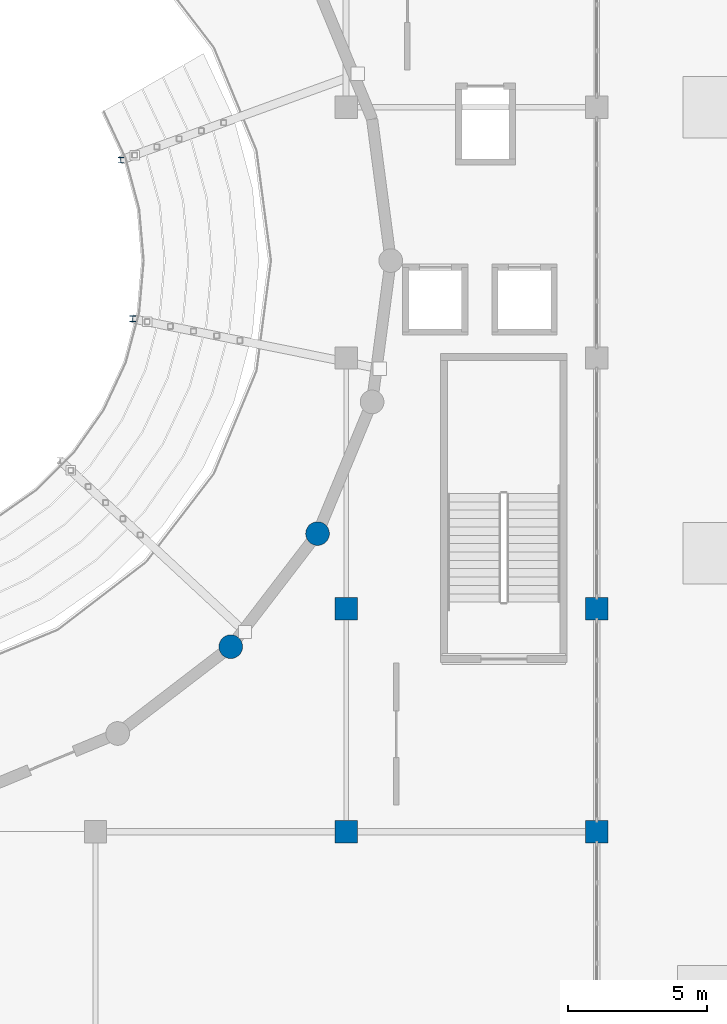
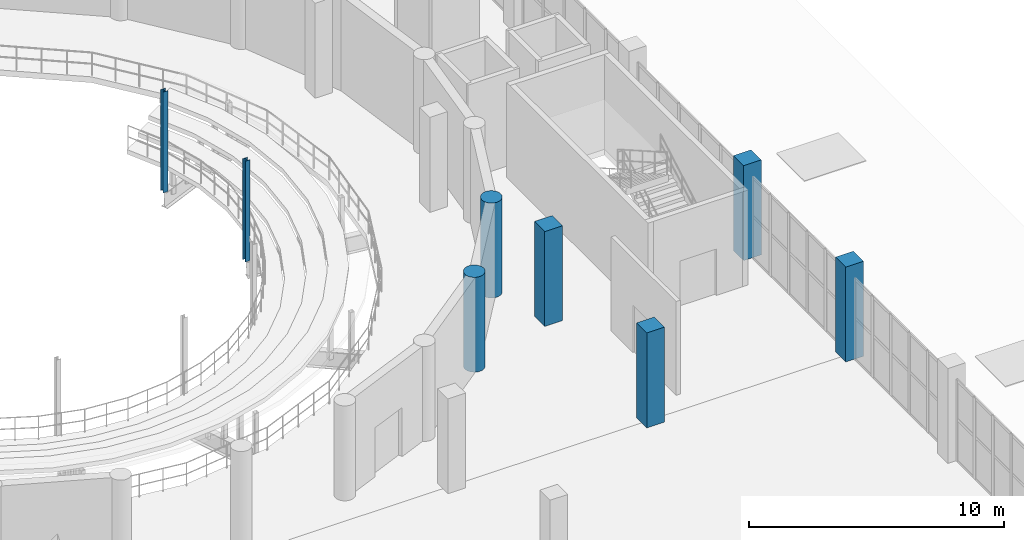
# One storey, part 11 of 93: 8 columns.
"""IFC4 building model written with IfcOpenShell, lengths in metres."""

from ifc_helpers import new_model, si_unit, direction, frame, origin, origin_2d, place, context, subcontext, project, spatial, rectangle, circle, i_section, extrude, material, material_profile, profile_set, type_object, element, save


model = new_model("IFC4")

# Units and contexts
model_context = context("Model", 3, precision=1e-05, world=origin(), true_north=direction((0.0, 1.0)))
body_context = subcontext(model_context, "Body", "Model", "MODEL_VIEW")
ifc_project = project(units=[si_unit("LENGTHUNIT", "METRE"), si_unit("AREAUNIT", "SQUARE_METRE"), si_unit("VOLUMEUNIT", "CUBIC_METRE"), si_unit("PLANEANGLEUNIT", "RADIAN"), si_unit("MASSUNIT", "GRAM", prefix="KILO")], contexts=[model_context])

# Site, building, storey
site_placement = place(None, origin())
site = spatial("IfcSite", under=ifc_project, at=site_placement, CompositionType="ELEMENT")
building_placement = place(site_placement, origin())
building = spatial("IfcBuilding", under=site, at=building_placement, Name="Marnock Terrace Opera House", CompositionType="ELEMENT")
storey_placement = place(building_placement, frame((0.0, 0.0, 5.39990234375)))
storey = spatial("IfcBuildingStorey", under=building, at=storey_placement, Name="L01", CompositionType="ELEMENT", Elevation=5.39990234375)

# Columns
ifc_material_1 = material(Name="Concrete N50 (f'c = 50 MPa)", Category="concrete")
ifc_material_profile_1 = material_profile(ifc_material_1, circle(Radius=0.425048828125, at=origin_2d()))
ifc_profile_set_1 = profile_set([ifc_material_profile_1], Name="Concrete N50 (f'c = 50 MPa)")
column_type_1 = type_object("IfcColumnType", Name="COL-DRUM-850", PredefinedType="COLUMN", material=ifc_profile_set_1)
for number, where, z_axis, x_axis, name in (
    (1, (95.85888671875, 46.64111328125, 0.0), (0.0, 0.0, 1.0), (1.0, 0.0, 0.0), "L01 auditorium drum pier 22"),
    (2, (98.97412109375, 50.699951171875, 0.0), (0.0, 0.0, 1.0), (1.0, 0.0, 0.0), "L01 auditorium drum pier 23"),
):
    element("IfcColumn", number, at=place(storey_placement, frame(where, z_axis=z_axis, x_axis=x_axis)), inside=storey, type_object=column_type_1, Name=name, PredefinedType="COLUMN", context=body_context, shape_type="SweptSolid", body=[
        extrude(circle(Radius=0.425048828125, at=origin_2d()), origin(), (0.0, 0.0, 1.0), 4.5400390625),
    ])
ifc_material_profile_2 = material_profile(ifc_material_1, rectangle(XDim=0.800048828125, YDim=0.800048828125, at=origin_2d()))
ifc_profile_set_2 = profile_set([ifc_material_profile_2], Name="Concrete N50 (f'c = 50 MPa)")
column_type_2 = type_object("IfcColumnType", Name="COL-RC800", PredefinedType="COLUMN", material=ifc_profile_set_2)
for number, where, z_axis, x_axis, name in (
    (3, (100.0, 40.0, 0.0), (0.0, 0.0, 1.0), (1.0, 0.0, 0.0), "L01 column at (100.0, 40.0)"),
    (4, (100.0, 48.0, 0.0), (0.0, 0.0, 1.0), (1.0, 0.0, 0.0), "L01 column at (100.0, 48.0)"),
    (5, (109.0, 40.0, 0.0), (0.0, 0.0, 1.0), (1.0, 0.0, 0.0), "L01 column at (109.0, 40.0)"),
    (6, (109.0, 48.0, 0.0), (0.0, 0.0, 1.0), (1.0, 0.0, 0.0), "L01 column at (109.0, 48.0)"),
):
    element("IfcColumn", number, at=place(storey_placement, frame(where, z_axis=z_axis, x_axis=x_axis)), inside=storey, type_object=column_type_2, Name=name, PredefinedType="COLUMN", context=body_context, shape_type="SweptSolid", body=[
        extrude(rectangle(XDim=0.800048828125, YDim=0.800048828125, at=origin_2d()), origin(), (0.0, 0.0, 1.0), 4.5400390625),
    ])
ifc_material_2 = material(Name="Steel Grade 350 (AS/NZS 3679.1)", Category="steel")
ifc_material_profile_3 = material_profile(ifc_material_2, i_section(OverallWidth=0.205078125, OverallDepth=0.209716796875, WebThickness=0.00927734375, FlangeThickness=0.01416015625, FilletRadius=0.011474609375, at=origin_2d()))
ifc_profile_set_3 = profile_set([ifc_material_profile_3], Name="Steel Grade 350 (AS/NZS 3679.1)")
column_type_3 = type_object("IfcColumnType", Name="COL-UC200", PredefinedType="COLUMN", material=ifc_profile_set_3)
for number, where, z_axis, x_axis, name in (
    (7, (92.3408203125, 58.40966796875, -0.829833984375), (0.0, 0.0, 1.0), (1.0, 0.0, 0.0), "L01 Auditorium balcony-front column 7"),
    (8, (91.913818359375, 64.1083984375, -0.829833984375), (0.0, 0.0, 1.0), (1.0, 0.0, 0.0), "L01 Auditorium balcony-front column 8"),
):
    element("IfcColumn", number, at=place(storey_placement, frame(where, z_axis=z_axis, x_axis=x_axis)), inside=storey, type_object=column_type_3, Name=name, PredefinedType="COLUMN", context=body_context, shape_type="SweptSolid", body=[
        extrude(i_section(OverallWidth=0.205078125, OverallDepth=0.209716796875, WebThickness=0.00927734375, FlangeThickness=0.01416015625, FilletRadius=0.011474609375, at=origin_2d()), origin(), (0.0, 0.0, 1.0), 4.81982421875),
    ])

save(model, "model.ifc")
